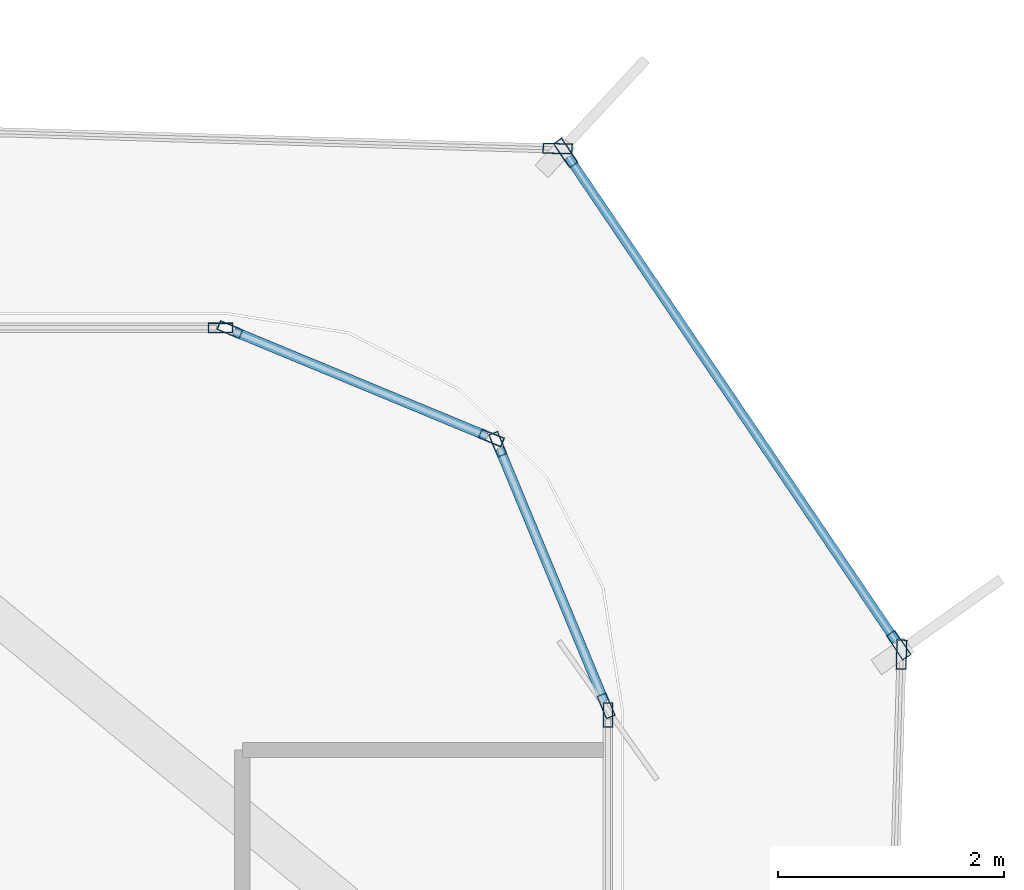
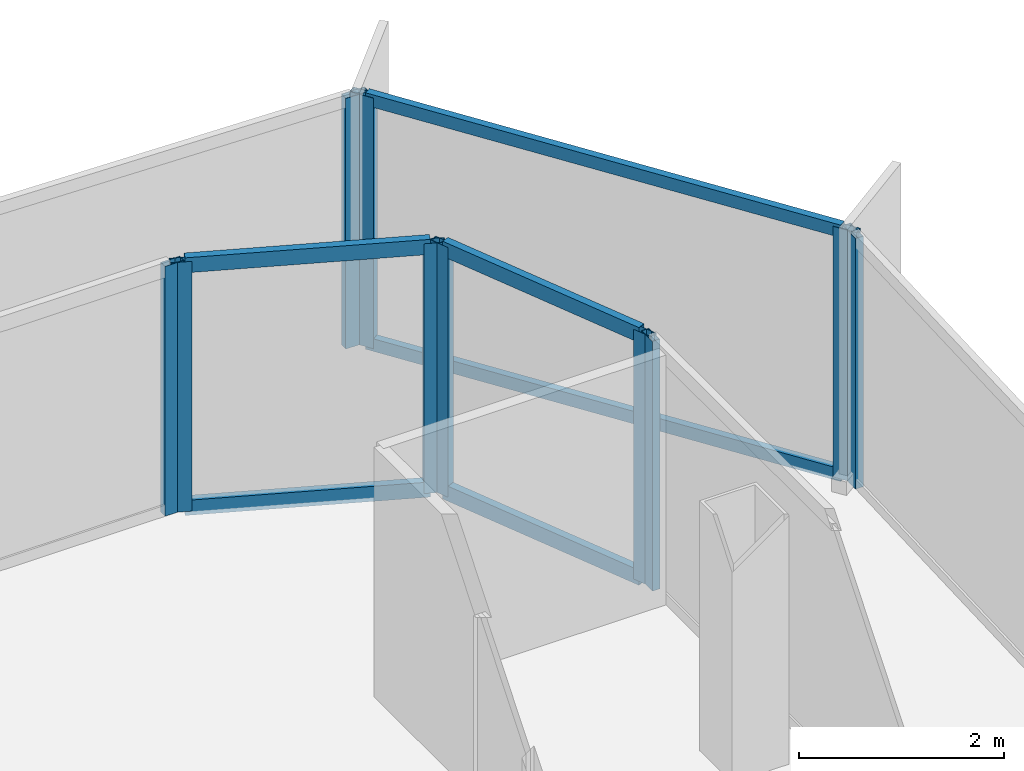
# One storey, part 8 of 15: 16 members, 7 elements without a shape of their own.
"""IFC4 building model written with IfcOpenShell, lengths in metres."""

from ifc_helpers import new_model, si_unit, direction, frame, origin, origin_2d, place, context, subcontext, project, spatial, hollow_rectangle, extrude, source, transform, mapped, material, layer, layer_set, material_profile, profile_set, type_object, element, aggregate, save


model = new_model("IFC4")

# Units and contexts
model_context = context("Model", 3, precision=1e-05, world=origin(), true_north=direction((0.0, 1.0)))
body_context = subcontext(model_context, "Body", "Model", "MODEL_VIEW")
ifc_project = project(units=[si_unit("LENGTHUNIT", "METRE"), si_unit("AREAUNIT", "SQUARE_METRE"), si_unit("VOLUMEUNIT", "CUBIC_METRE"), si_unit("PLANEANGLEUNIT", "RADIAN"), si_unit("MASSUNIT", "GRAM", prefix="KILO")], contexts=[model_context])

# Site, building, storey
site_placement = place(None, origin())
site = spatial("IfcSite", under=ifc_project, at=site_placement, CompositionType="ELEMENT")
building_placement = place(site_placement, origin())
building = spatial("IfcBuilding", under=site, at=building_placement, Name="Kolveth Station Tower", CompositionType="ELEMENT")
storey_placement = place(building_placement, frame((0.0, 0.0, 242.5)))
storey = spatial("IfcBuildingStorey", under=building, at=storey_placement, Name="L69", CompositionType="ELEMENT", Elevation=242.5)

# Curtain wall, member
ifc_material_1 = material(Name="Black anodized aluminium 6063-T6 and dark solar glass", Category="aluminium")
ifc_layer_1 = layer(ifc_material_1, 0.159912109375)
ifc_layer_set_1 = layer_set([ifc_layer_1], Name="Black anodized aluminium 6063-T6 and dark solar glass")
curtain_wall_type_1 = type_object("IfcCurtainWallType", Name="OUTER SKIN CW-OS", PredefinedType="NOTDEFINED", material=ifc_layer_set_1)
curtain_wall_1_placement = place(storey_placement, origin())
curtain_wall_1 = element("IfcCurtainWall", 1, at=curtain_wall_1_placement, inside=storey, type_object=curtain_wall_type_1, Name="L69 Outer Ventilated Skin Curtain Wall 2", PredefinedType="NOTDEFINED")
ifc_material_2 = material(Name="Black anodized aluminium 6063-T6", Category="aluminium")
ifc_material_profile_1 = material_profile(ifc_material_2, hollow_rectangle(XDim=0.090087890625, YDim=0.260009765625, WallThickness=0.0048828125, at=origin_2d()), Name="ALU-90x260x5")
ifc_profile_set_1 = profile_set([ifc_material_profile_1], Name="Black anodized aluminium 6063-T6")
member_type_1 = type_object("IfcMemberType", Name="FIN MULLION ML-OS", PredefinedType="MULLION", material=ifc_profile_set_1)
shared_shape_1 = source(origin(), body_context, "Body", "SweptSolid", [
    extrude(hollow_rectangle(XDim=0.090087890625, YDim=0.260009765625, WallThickness=0.0048828125, at=origin_2d()), origin(), (0.0, 0.0, 1.0), 2.989990234375),
])
member_1_placement = place(storey_placement, frame((44.27392578125, 32.292236328125, 0.0), z_axis=(0.0, 0.0, 1.0), x_axis=(-0.999585840717, 0.028777543983, 0.0)))
member_1 = element("IfcMember", 2, at=member_1_placement, type_object=member_type_1, Name="CW-OS mullion 2", PredefinedType="MULLION", context=body_context, shape_type="MappedRepresentation", body=[
    mapped(shared_shape_1, transform((0.0, 0.0, 0.0), x_axis=(1.0, 0.0, 0.0), y_axis=(0.0, 1.0, 0.0), z_axis=(0.0, 0.0, 1.0), scale=1.0)),
])
aggregate(curtain_wall_1, [member_1])

# Curtain wall, members
curtain_wall_2_placement = place(storey_placement, origin())
curtain_wall_2 = element("IfcCurtainWall", 3, at=curtain_wall_2_placement, inside=storey, type_object=curtain_wall_type_1, Name="L69 Outer Ventilated Skin Curtain Wall 3", PredefinedType="NOTDEFINED")
member_2_placement = place(storey_placement, frame((44.25, 32.37451171875, 0.0), z_axis=(0.0, 0.0, 1.0), x_axis=(-0.828209313705, -0.560418890377, 0.0)))
member_2 = element("IfcMember", 4, at=member_2_placement, type_object=member_type_1, Name="CW-OS mullion 1", PredefinedType="MULLION", context=body_context, shape_type="MappedRepresentation", body=[
    mapped(shared_shape_1, transform((0.0, 0.0, 0.0), x_axis=(1.0, 0.0, 0.0), y_axis=(0.0, 1.0, 0.0), z_axis=(0.0, 0.0, 1.0), scale=1.0)),
])
member_3_placement = place(storey_placement, frame((41.306396484375, 36.724853515625, 0.0), z_axis=(0.0, 0.0, 1.0), x_axis=(-0.828209313705, -0.560418890377, 0.0)))
member_3 = element("IfcMember", 5, at=member_3_placement, type_object=member_type_1, Name="CW-OS mullion 2", PredefinedType="MULLION", context=body_context, shape_type="MappedRepresentation", body=[
    mapped(shared_shape_1, transform((0.0, 0.0, 0.0), x_axis=(1.0, 0.0, 0.0), y_axis=(0.0, 1.0, 0.0), z_axis=(0.0, 0.0, 1.0), scale=1.0)),
])

# Curtain wall, member
curtain_wall_3_placement = place(storey_placement, origin())
curtain_wall_3 = element("IfcCurtainWall", 6, at=curtain_wall_3_placement, inside=storey, type_object=curtain_wall_type_1, Name="L69 Outer Ventilated Skin Curtain Wall 4", PredefinedType="NOTDEFINED")
member_4_placement = place(storey_placement, frame((41.236083984375, 36.763427734375, 0.0), z_axis=(0.0, 0.0, 1.0), x_axis=(-0.029313397808, -0.999570270021, 0.0)))
member_4 = element("IfcMember", 7, at=member_4_placement, type_object=member_type_1, Name="CW-OS mullion 1", PredefinedType="MULLION", context=body_context, shape_type="MappedRepresentation", body=[
    mapped(shared_shape_1, transform((0.0, 0.0, 0.0), x_axis=(1.0, 0.0, 0.0), y_axis=(0.0, 1.0, 0.0), z_axis=(0.0, 0.0, 1.0), scale=1.0)),
])
aggregate(curtain_wall_3, [member_4])

ifc_material_3 = material(Name="Aluminium 6063-T6 and triple low-E dark glass", Category="aluminium")
ifc_layer_2 = layer(ifc_material_3, 0.199951171875)
ifc_layer_set_2 = layer_set([ifc_layer_2], Name="Aluminium 6063-T6 and triple low-E dark glass")
curtain_wall_type_2 = type_object("IfcCurtainWallType", Name="CurtainWall_CW-Z3", PredefinedType="NOTDEFINED", material=ifc_layer_set_2)
curtain_wall_4_placement = place(storey_placement, origin())
curtain_wall_4 = element("IfcCurtainWall", 8, at=curtain_wall_4_placement, inside=storey, type_object=curtain_wall_type_2, Name="L69 Inner Thermal Curtain Wall 3", PredefinedType="NOTDEFINED")
ifc_material_profile_2 = material_profile(ifc_material_2, hollow_rectangle(XDim=0.0849609375, YDim=0.215087890625, WallThickness=0.0048828125, at=origin_2d()), Name="ALU-85x215x5")
ifc_profile_set_2 = profile_set([ifc_material_profile_2], Name="Black anodized aluminium 6063-T6")
member_type_2 = type_object("IfcMemberType", Name="Mullion_ML3", PredefinedType="MULLION", material=ifc_profile_set_2)
shared_shape_2 = source(origin(), body_context, "Body", "SweptSolid", [
    extrude(hollow_rectangle(XDim=0.0849609375, YDim=0.215087890625, WallThickness=0.0048828125, at=origin_2d()), origin(), (0.0, 0.0, 1.0), 2.97998046875),
])
member_5_placement = place(storey_placement, frame((41.679931640625, 31.757568359375, 0.0), z_axis=(0.0, 0.0, 1.0), x_axis=(-1.0, 0.0, 0.0)))
member_5 = element("IfcMember", 9, at=member_5_placement, type_object=member_type_2, Name="CW-Z3 mullion 2", PredefinedType="MULLION", context=body_context, shape_type="MappedRepresentation", body=[
    mapped(shared_shape_2, transform((0.0, 0.0, 0.0), x_axis=(1.0, 0.0, 0.0), y_axis=(0.0, 1.0, 0.0), z_axis=(0.0, 0.0, 1.0), scale=1.0)),
])
aggregate(curtain_wall_4, [member_5])

# Curtain wall, members
curtain_wall_5_placement = place(storey_placement, origin())
curtain_wall_5 = element("IfcCurtainWall", 10, at=curtain_wall_5_placement, inside=storey, type_object=curtain_wall_type_2, Name="L69 Inner Thermal Curtain Wall 4", PredefinedType="NOTDEFINED")
member_6_placement = place(storey_placement, frame((41.663818359375, 31.83935546875, 0.0), z_axis=(0.0, 0.0, 1.0), x_axis=(-0.923875488975, -0.382693194181, 0.0)))
member_6 = element("IfcMember", 11, at=member_6_placement, type_object=member_type_2, Name="CW-Z3 mullion 1", PredefinedType="MULLION", context=body_context, shape_type="MappedRepresentation", body=[
    mapped(shared_shape_2, transform((0.0, 0.0, 0.0), x_axis=(1.0, 0.0, 0.0), y_axis=(0.0, 1.0, 0.0), z_axis=(0.0, 0.0, 1.0), scale=1.0)),
])
member_7_placement = place(storey_placement, frame((40.706298828125, 34.150634765625, 0.0), z_axis=(0.0, 0.0, 1.0), x_axis=(-0.923875488975, -0.382693194181, 0.0)))
member_7 = element("IfcMember", 12, at=member_7_placement, type_object=member_type_2, Name="CW-Z3 mullion 2", PredefinedType="MULLION", context=body_context, shape_type="MappedRepresentation", body=[
    mapped(shared_shape_2, transform((0.0, 0.0, 0.0), x_axis=(1.0, 0.0, 0.0), y_axis=(0.0, 1.0, 0.0), z_axis=(0.0, 0.0, 1.0), scale=1.0)),
])

curtain_wall_6_placement = place(storey_placement, origin())
curtain_wall_6 = element("IfcCurtainWall", 13, at=curtain_wall_6_placement, inside=storey, type_object=curtain_wall_type_2, Name="L69 Inner Thermal Curtain Wall 5", PredefinedType="NOTDEFINED")
member_8_placement = place(storey_placement, frame((40.650634765625, 34.206298828125, 0.0), z_axis=(0.0, 0.0, 1.0), x_axis=(-0.382693194181, -0.923875488975, 0.0)))
member_8 = element("IfcMember", 14, at=member_8_placement, type_object=member_type_2, Name="CW-Z3 mullion 1", PredefinedType="MULLION", context=body_context, shape_type="MappedRepresentation", body=[
    mapped(shared_shape_2, transform((0.0, 0.0, 0.0), x_axis=(1.0, 0.0, 0.0), y_axis=(0.0, 1.0, 0.0), z_axis=(0.0, 0.0, 1.0), scale=1.0)),
])
member_9_placement = place(storey_placement, frame((38.33935546875, 35.163818359375, 0.0), z_axis=(0.0, 0.0, 1.0), x_axis=(-0.382693194181, -0.923875488975, 0.0)))
member_9 = element("IfcMember", 15, at=member_9_placement, type_object=member_type_2, Name="CW-Z3 mullion 2", PredefinedType="MULLION", context=body_context, shape_type="MappedRepresentation", body=[
    mapped(shared_shape_2, transform((0.0, 0.0, 0.0), x_axis=(1.0, 0.0, 0.0), y_axis=(0.0, 1.0, 0.0), z_axis=(0.0, 0.0, 1.0), scale=1.0)),
])

# Curtain wall, member
curtain_wall_7_placement = place(storey_placement, origin())
curtain_wall_7 = element("IfcCurtainWall", 16, at=curtain_wall_7_placement, inside=storey, type_object=curtain_wall_type_2, Name="L69 Inner Thermal Curtain Wall 6", PredefinedType="NOTDEFINED")
member_10_placement = place(storey_placement, frame((38.257568359375, 35.179931640625, 0.0), z_axis=(0.0, 0.0, 1.0), x_axis=(0.0, -1.0, 0.0)))
member_10 = element("IfcMember", 17, at=member_10_placement, type_object=member_type_2, Name="CW-Z3 mullion 1", PredefinedType="MULLION", context=body_context, shape_type="MappedRepresentation", body=[
    mapped(shared_shape_2, transform((0.0, 0.0, 0.0), x_axis=(1.0, 0.0, 0.0), y_axis=(0.0, 1.0, 0.0), z_axis=(0.0, 0.0, 1.0), scale=1.0)),
])
aggregate(curtain_wall_7, [member_10])

# Member
ifc_material_profile_3 = material_profile(ifc_material_2, hollow_rectangle(XDim=0.0849609375, YDim=0.179931640625, WallThickness=0.0048828125, at=origin_2d()), Name="ALU-85x180x5")
ifc_profile_set_3 = profile_set([ifc_material_profile_3], Name="Black anodized aluminium 6063-T6")
member_type_3 = type_object("IfcMemberType", Name="Transom_TR3", PredefinedType="USERDEFINED", material=ifc_profile_set_3)
shared_shape_3 = source(origin(), body_context, "Body", "SweptSolid", [
    extrude(hollow_rectangle(XDim=0.0849609375, YDim=0.179931640625, WallThickness=0.0048828125, at=origin_2d()), origin(), (0.0, 0.0, 1.0), 2.417236328125),
])
member_11_placement = place(storey_placement, frame((41.6474609375, 31.87841796875, 0.04248046875), z_axis=(-0.382699687013, 0.923872799448, 0.0), x_axis=(-0.923872799448, -0.382699687013, 0.0)))
member_11 = element("IfcMember", 18, at=member_11_placement, type_object=member_type_3, Name="CW-Z3 transom 1.1", ObjectType="TRANSOM", PredefinedType="USERDEFINED", context=body_context, shape_type="MappedRepresentation", body=[
    mapped(shared_shape_3, transform((0.0, 0.0, 0.0), x_axis=(1.0, 0.0, 0.0), y_axis=(0.0, 1.0, 0.0), z_axis=(0.0, 0.0, 1.0), scale=1.0)),
])

member_12_placement = place(storey_placement, frame((41.6474609375, 31.87841796875, 2.9375), z_axis=(-0.382699687013, 0.923872799448, 0.0), x_axis=(-0.923872799448, -0.382699687013, 0.0)))
member_12 = element("IfcMember", 19, at=member_12_placement, type_object=member_type_3, Name="CW-Z3 transom 1.2", ObjectType="TRANSOM", PredefinedType="USERDEFINED", context=body_context, shape_type="MappedRepresentation", body=[
    mapped(shared_shape_3, transform((0.0, 0.0, 0.0), x_axis=(1.0, 0.0, 0.0), y_axis=(0.0, 1.0, 0.0), z_axis=(0.0, 0.0, 1.0), scale=1.0)),
])

aggregate(curtain_wall_5, [member_6, member_7, member_11, member_12])

member_13_placement = place(storey_placement, frame((40.611572265625, 34.222412109375, 0.04248046875), z_axis=(-0.923872799448, 0.382699687013, 0.0), x_axis=(-0.382699687013, -0.923872799448, 0.0)))
member_13 = element("IfcMember", 20, at=member_13_placement, type_object=member_type_3, Name="CW-Z3 transom 1.1", ObjectType="TRANSOM", PredefinedType="USERDEFINED", context=body_context, shape_type="MappedRepresentation", body=[
    mapped(shared_shape_3, transform((0.0, 0.0, 0.0), x_axis=(1.0, 0.0, 0.0), y_axis=(0.0, 1.0, 0.0), z_axis=(0.0, 0.0, 1.0), scale=1.0)),
])

member_14_placement = place(storey_placement, frame((40.611572265625, 34.222412109375, 2.9375), z_axis=(-0.923872799448, 0.382699687013, 0.0), x_axis=(-0.382699687013, -0.923872799448, 0.0)))
member_14 = element("IfcMember", 21, at=member_14_placement, type_object=member_type_3, Name="CW-Z3 transom 1.2", ObjectType="TRANSOM", PredefinedType="USERDEFINED", context=body_context, shape_type="MappedRepresentation", body=[
    mapped(shared_shape_3, transform((0.0, 0.0, 0.0), x_axis=(1.0, 0.0, 0.0), y_axis=(0.0, 1.0, 0.0), z_axis=(0.0, 0.0, 1.0), scale=1.0)),
])

aggregate(curtain_wall_6, [member_8, member_9, member_13, member_14])

ifc_material_profile_4 = material_profile(ifc_material_2, hollow_rectangle(XDim=0.080078125, YDim=0.14990234375, WallThickness=0.0048828125, at=origin_2d()), Name="ALU-80x150x5")
ifc_profile_set_4 = profile_set([ifc_material_profile_4], Name="Black anodized aluminium 6063-T6")
member_type_4 = type_object("IfcMemberType", Name="Transom_TR-OS", PredefinedType="USERDEFINED", material=ifc_profile_set_4)
shared_shape_4 = source(origin(), body_context, "Body", "SweptSolid", [
    extrude(hollow_rectangle(XDim=0.080078125, YDim=0.14990234375, WallThickness=0.0048828125, at=origin_2d()), origin(), (0.0, 0.0, 1.0), 5.16259765625),
])
member_15_placement = place(storey_placement, frame((44.224853515625, 32.411865234375, 0.0400390625), z_axis=(-0.560438181581, 0.828196259727, 0.0), x_axis=(-0.828196259727, -0.560438181581, 0.0)))
member_15 = element("IfcMember", 22, at=member_15_placement, type_object=member_type_4, Name="CW-OS transom 1.1", ObjectType="TRANSOM", PredefinedType="USERDEFINED", context=body_context, shape_type="MappedRepresentation", body=[
    mapped(shared_shape_4, transform((0.0, 0.0, 0.0), x_axis=(1.0, 0.0, 0.0), y_axis=(0.0, 1.0, 0.0), z_axis=(0.0, 0.0, 1.0), scale=1.0)),
])

member_16_placement = place(storey_placement, frame((44.224853515625, 32.411865234375, 2.949951171875), z_axis=(-0.560438181581, 0.828196259727, 0.0), x_axis=(-0.828196259727, -0.560438181581, 0.0)))
member_16 = element("IfcMember", 23, at=member_16_placement, type_object=member_type_4, Name="CW-OS transom 1.2", ObjectType="TRANSOM", PredefinedType="USERDEFINED", context=body_context, shape_type="MappedRepresentation", body=[
    mapped(shared_shape_4, transform((0.0, 0.0, 0.0), x_axis=(1.0, 0.0, 0.0), y_axis=(0.0, 1.0, 0.0), z_axis=(0.0, 0.0, 1.0), scale=1.0)),
])

aggregate(curtain_wall_2, [member_2, member_3, member_15, member_16])

save(model, "model.ifc")
